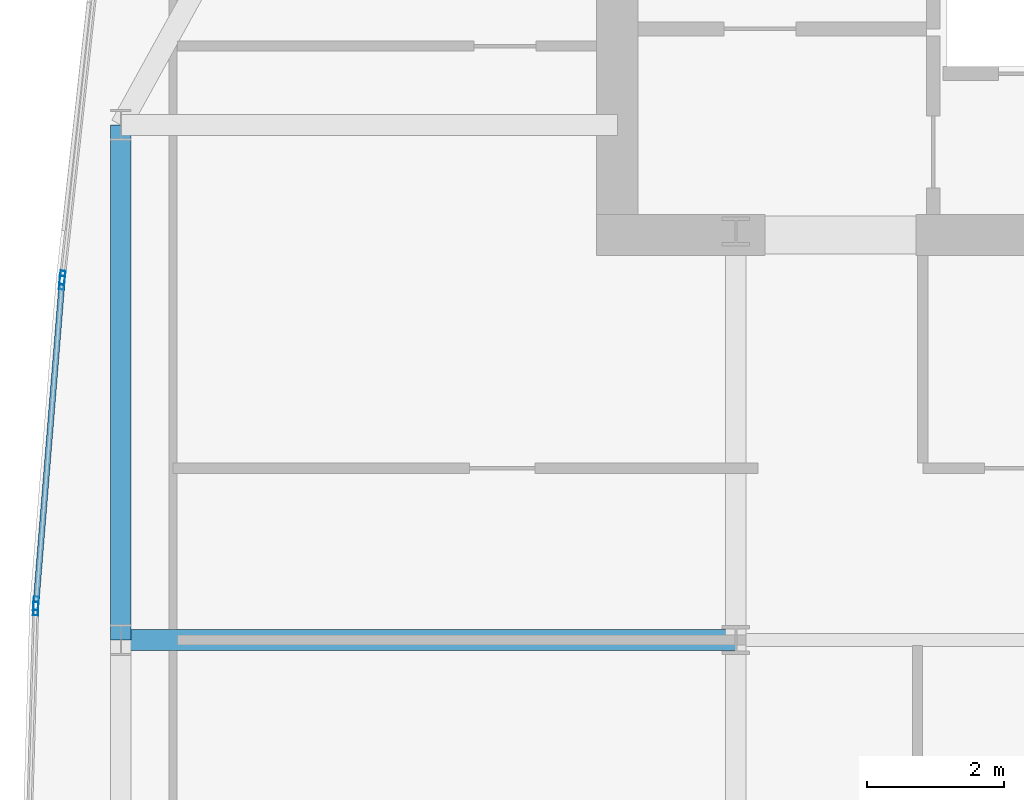
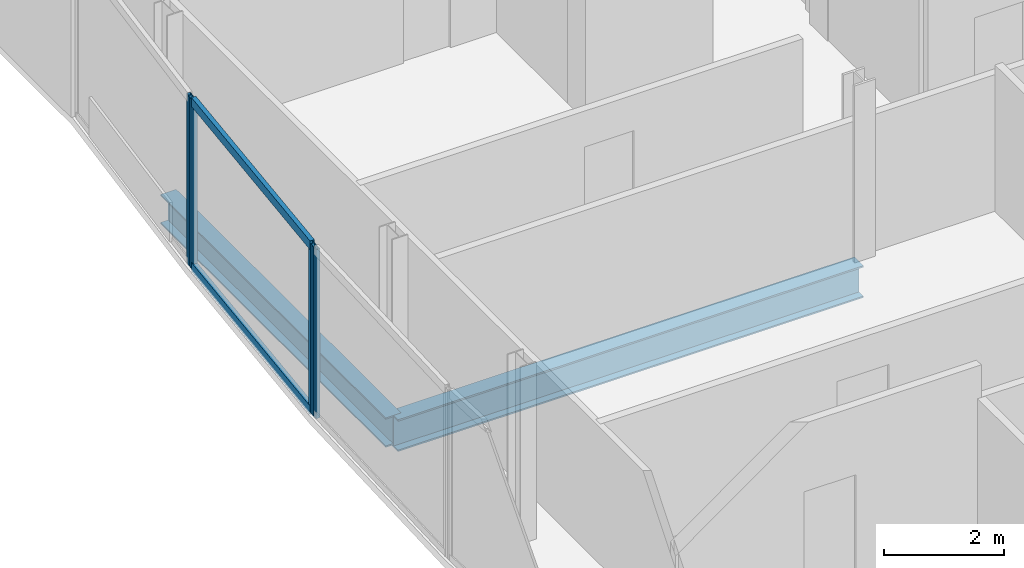
# One storey, part 12 of 29: 6 members, 2 beams, 3 elements without a shape of their own.
"""IFC4 building model written with IfcOpenShell, lengths in metres."""

from ifc_helpers import new_model, si_unit, direction, frame, origin, origin_2d, place, context, subcontext, project, spatial, hollow_rectangle, i_section, extrude, material, material_profile, profile_set, type_object, element, aggregate, save


model = new_model("IFC4")

# Units and contexts
model_context = context("Model", 3, precision=1e-05, world=origin(), true_north=direction((0.0, 1.0)))
body_context = subcontext(model_context, "Body", "Model", "MODEL_VIEW")
ifc_project = project(units=[si_unit("LENGTHUNIT", "METRE"), si_unit("AREAUNIT", "SQUARE_METRE"), si_unit("VOLUMEUNIT", "CUBIC_METRE"), si_unit("PLANEANGLEUNIT", "RADIAN"), si_unit("MASSUNIT", "GRAM", prefix="KILO")], contexts=[model_context])

# Site, building, storey
site_placement = place(None, origin())
site = spatial("IfcSite", under=ifc_project, at=site_placement, CompositionType="ELEMENT")
building_placement = place(site_placement, origin())
building = spatial("IfcBuilding", under=site, at=building_placement, Name="Khoronbel Lancet Exchange", CompositionType="ELEMENT")
storey_placement = place(building_placement, frame((0.0, 0.0, 242.60009765625)))
storey = spatial("IfcBuildingStorey", under=building, at=storey_placement, Name="L62", CompositionType="ELEMENT", Elevation=242.60009765625)

# Beams
ifc_material_1 = material(Name="Steel S355", Category="steel")
ifc_material_profile_1 = material_profile(ifc_material_1, i_section(OverallWidth=0.300048828125, OverallDepth=0.64990234375, WebThickness=0.01611328125, FlangeThickness=0.031005859375, at=origin_2d()), Name="HEB 650")
ifc_profile_set_1 = profile_set([ifc_material_profile_1], Name="Steel S355")
beam_type_1 = type_object("IfcBeamType", Name="BM-BG4", PredefinedType="BEAM", material=ifc_profile_set_1)
beam_1_placement = place(storey_placement, frame((9.27001953125, 35.699951171875, -0.485107421875), z_axis=(1.0, 0.0, 0.0), x_axis=(0.0, 1.0, 0.0)))
element("IfcBeam", 1, at=beam_1_placement, inside=storey, type_object=beam_type_1, Name="Level L62 west lens tie girder LG4W", PredefinedType="BEAM", context=body_context, shape_type="SweptSolid", body=[
    extrude(i_section(OverallWidth=0.300048828125, OverallDepth=0.64990234375, WebThickness=0.01611328125, FlangeThickness=0.031005859375, at=origin_2d()), origin(), (0.0, 0.0, 1.0), 8.955078125),
])
ifc_material_profile_2 = material_profile(ifc_material_1, i_section(OverallWidth=0.300048828125, OverallDepth=0.60009765625, WebThickness=0.015380859375, FlangeThickness=0.030029296875, at=origin_2d()), Name="HEB 600")
ifc_profile_set_2 = profile_set([ifc_material_profile_2], Name="Steel S355")
beam_type_2 = type_object("IfcBeamType", Name="BM-BSP2", PredefinedType="SPANDREL", material=ifc_profile_set_2)
beam_2_placement = place(storey_placement, frame((9.27001953125, 43.199951171875, -0.460205078125), z_axis=(0.0, -1.0, 0.0), x_axis=(1.0, 0.0, 0.0)))
element("IfcBeam", 2, at=beam_2_placement, inside=storey, type_object=beam_type_2, Name="Level L62 perimeter spandrel beam SP17", PredefinedType="SPANDREL", context=body_context, shape_type="SweptSolid", body=[
    extrude(i_section(OverallWidth=0.300048828125, OverallDepth=0.60009765625, WebThickness=0.015380859375, FlangeThickness=0.030029296875, at=origin_2d()), origin(), (0.0, 0.0, 1.0), 7.5),
])

# Curtain wall, member
ifc_material_2 = material(Name="Low-E Solar Control Insulating Glass", Category="glass")
curtain_wall_type = type_object("IfcCurtainWallType", Name="CW-4", PredefinedType="NOTDEFINED", material=ifc_material_2)
curtain_wall_1_placement = place(storey_placement, origin())
curtain_wall_1 = element("IfcCurtainWall", 3, at=curtain_wall_1_placement, inside=storey, type_object=curtain_wall_type, Name="Unitised curtain wall CW-L62-E07", PredefinedType="NOTDEFINED")
ifc_material_3 = material(Name="Bronze-Anodised Aluminium 6063-T6", Category="aluminium")
ifc_material_profile_3 = material_profile(ifc_material_3, hollow_rectangle(XDim=0.074951171875, YDim=0.199951171875, WallThickness=0.0048828125, at=origin_2d()), Name="ALU MULLION 75x200")
ifc_profile_set_3 = profile_set([ifc_material_profile_3], Name="Bronze-Anodised Aluminium 6063-T6")
member_type_1 = type_object("IfcMemberType", Name="MEM-CWM2", PredefinedType="MULLION", material=ifc_profile_set_3)
member_1_placement = place(storey_placement, frame((8.029541015625, 36.157470703125, 0.0), z_axis=(0.0, 0.0, 1.0), x_axis=(-0.999561285143, 0.029618191076, 0.0)))
member_1 = element("IfcMember", 4, at=member_1_placement, type_object=member_type_1, Name="CW4 mullion 2", PredefinedType="MULLION", context=body_context, shape_type="SweptSolid", body=[
    extrude(hollow_rectangle(XDim=0.074951171875, YDim=0.199951171875, WallThickness=0.0048828125, at=origin_2d()), origin(), (0.0, 0.0, 1.0), 3.43994140625),
])
aggregate(curtain_wall_1, [member_1])

# Curtain wall, members
curtain_wall_2_placement = place(storey_placement, origin())
curtain_wall_2 = element("IfcCurtainWall", 5, at=curtain_wall_2_placement, inside=storey, type_object=curtain_wall_type, Name="Unitised curtain wall CW-L62-E08", PredefinedType="NOTDEFINED")
member_2_placement = place(storey_placement, frame((8.03369140625, 36.232421875, 0.0), z_axis=(0.0, 0.0, 1.0), x_axis=(-0.996743296731, 0.080639943095, 0.0)))
member_2 = element("IfcMember", 6, at=member_2_placement, type_object=member_type_1, Name="CW4 mullion 1", PredefinedType="MULLION", context=body_context, shape_type="SweptSolid", body=[
    extrude(hollow_rectangle(XDim=0.074951171875, YDim=0.199951171875, WallThickness=0.0048828125, at=origin_2d()), origin(), (0.0, 0.0, 1.0), 3.43994140625),
])
member_3_placement = place(storey_placement, frame((8.41162109375, 40.904052734375, 0.0), z_axis=(0.0, 0.0, 1.0), x_axis=(-0.996743296731, 0.080639943095, 0.0)))
member_3 = element("IfcMember", 7, at=member_3_placement, type_object=member_type_1, Name="CW4 mullion 2", PredefinedType="MULLION", context=body_context, shape_type="SweptSolid", body=[
    extrude(hollow_rectangle(XDim=0.074951171875, YDim=0.199951171875, WallThickness=0.0048828125, at=origin_2d()), origin(), (0.0, 0.0, 1.0), 3.43994140625),
])

# Curtain wall, member
curtain_wall_3_placement = place(storey_placement, origin())
curtain_wall_3 = element("IfcCurtainWall", 8, at=curtain_wall_3_placement, inside=storey, type_object=curtain_wall_type, Name="Unitised curtain wall CW-L62-E09", PredefinedType="NOTDEFINED")
member_4_placement = place(storey_placement, frame((8.418701171875, 40.978759765625, 0.0), z_axis=(0.0, 0.0, 1.0), x_axis=(-0.993947317123, 0.109857775256, 0.0)))
member_4 = element("IfcMember", 9, at=member_4_placement, type_object=member_type_1, Name="CW4 mullion 1", PredefinedType="MULLION", context=body_context, shape_type="SweptSolid", body=[
    extrude(hollow_rectangle(XDim=0.074951171875, YDim=0.199951171875, WallThickness=0.0048828125, at=origin_2d()), origin(), (0.0, 0.0, 1.0), 3.43994140625),
])
aggregate(curtain_wall_3, [member_4])

# Member
ifc_material_profile_4 = material_profile(ifc_material_3, hollow_rectangle(XDim=0.0849609375, YDim=0.179931640625, WallThickness=0.0048828125, at=origin_2d()), Name="ALU TRANSOM 85x180")
ifc_profile_set_4 = profile_set([ifc_material_profile_4], Name="Bronze-Anodised Aluminium 6063-T6")
member_type_2 = type_object("IfcMemberType", Name="MEM-CWT1", PredefinedType="USERDEFINED", material=ifc_profile_set_4)
member_5_placement = place(storey_placement, frame((8.03662109375, 36.269775390625, 0.04248046875), z_axis=(0.080622560017, 0.996744702929, 0.0), x_axis=(-0.996744702929, 0.080622560017, 0.0)))
member_5 = element("IfcMember", 10, at=member_5_placement, type_object=member_type_2, Name="CW4 transom 1.1", ObjectType="TRANSOM", PredefinedType="USERDEFINED", context=body_context, shape_type="SweptSolid", body=[
    extrude(hollow_rectangle(XDim=0.0849609375, YDim=0.179931640625, WallThickness=0.0048828125, at=origin_2d()), origin(), (0.0, 0.0, 1.0), 4.61181640625),
])

member_6_placement = place(storey_placement, frame((8.03662109375, 36.269775390625, 3.3974609375), z_axis=(0.080622560017, 0.996744702929, 0.0), x_axis=(-0.996744702929, 0.080622560017, 0.0)))
member_6 = element("IfcMember", 11, at=member_6_placement, type_object=member_type_2, Name="CW4 transom 1.2", ObjectType="TRANSOM", PredefinedType="USERDEFINED", context=body_context, shape_type="SweptSolid", body=[
    extrude(hollow_rectangle(XDim=0.0849609375, YDim=0.179931640625, WallThickness=0.0048828125, at=origin_2d()), origin(), (0.0, 0.0, 1.0), 4.61181640625),
])

aggregate(curtain_wall_2, [member_2, member_3, member_5, member_6])

save(model, "model.ifc")
